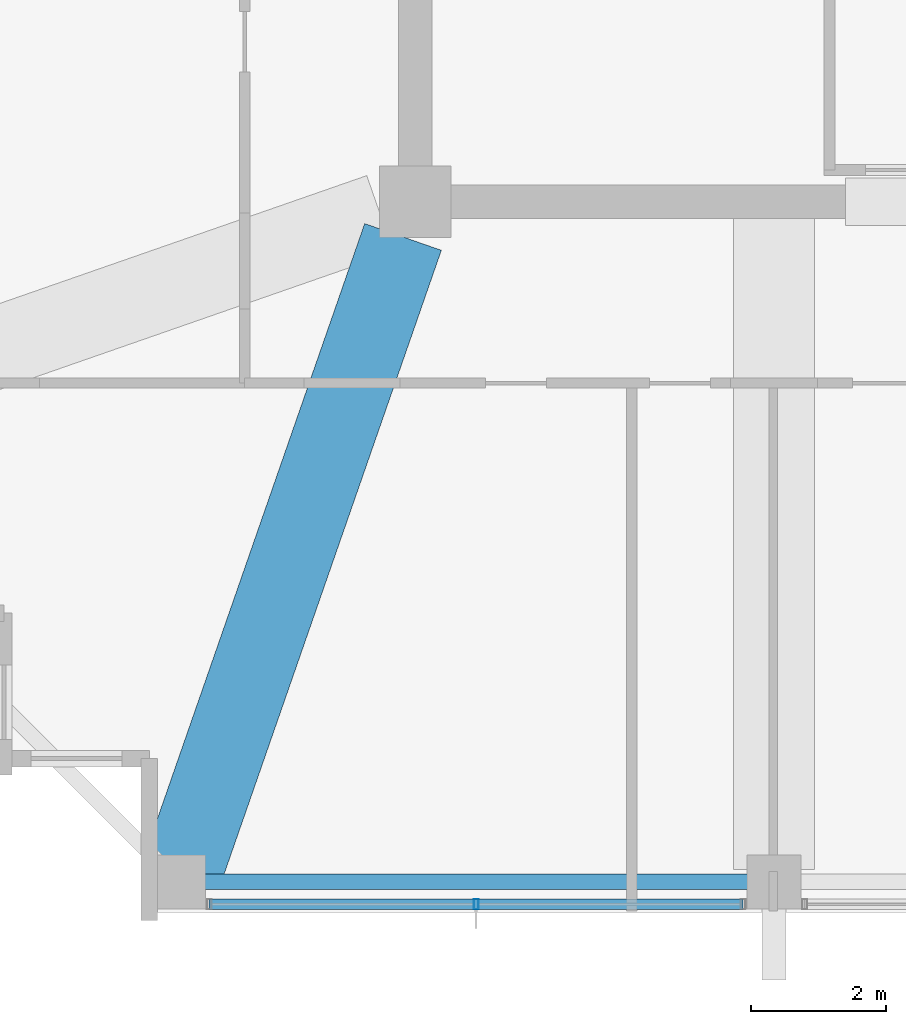
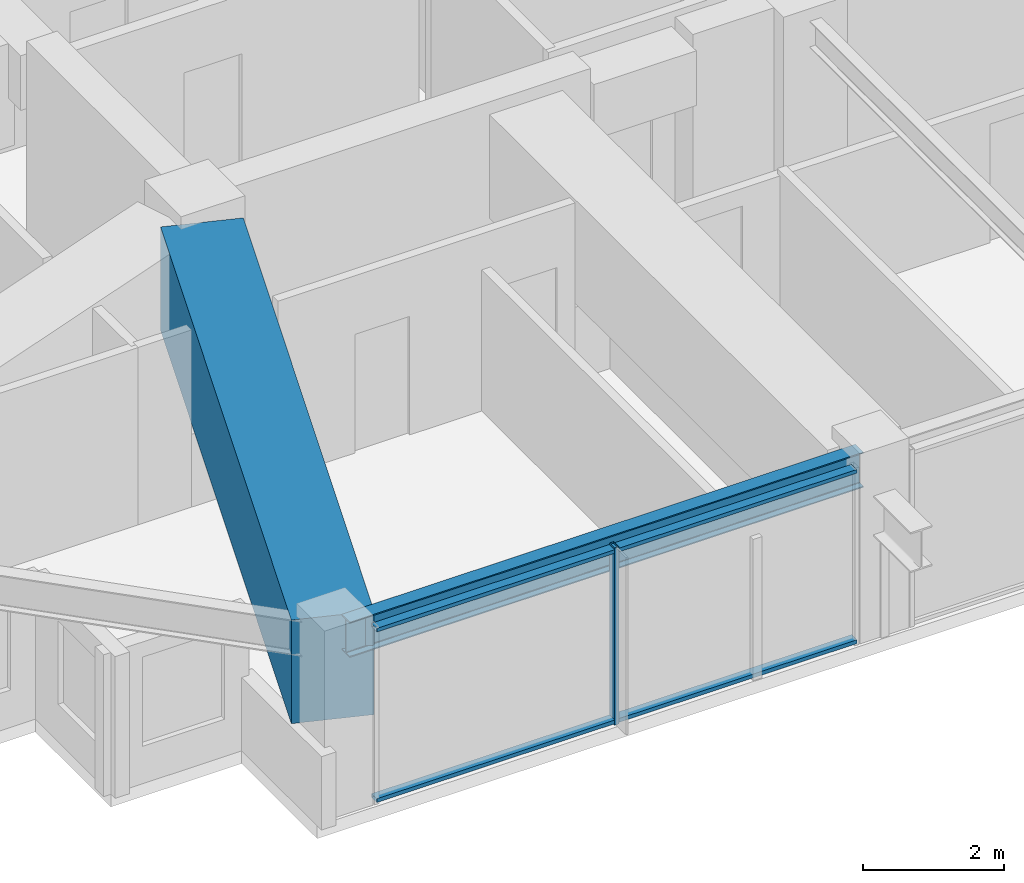
# One storey, part 3 of 35: 3 members, 2 beams, 1 element without a shape of its own.
"""IFC4 building model written with IfcOpenShell, lengths in metres."""

from ifc_helpers import new_model, si_unit, direction, frame, origin, origin_2d, place, context, subcontext, project, spatial, rectangle, hollow_rectangle, i_section, extrude, material, material_profile, profile_set, type_object, element, aggregate, save


model = new_model("IFC4")

# Units and contexts
model_context = context("Model", 3, precision=1e-05, world=origin(), true_north=direction((0.0, 1.0)))
body_context = subcontext(model_context, "Body", "Model", "MODEL_VIEW")
ifc_project = project(units=[si_unit("LENGTHUNIT", "METRE"), si_unit("AREAUNIT", "SQUARE_METRE"), si_unit("VOLUMEUNIT", "CUBIC_METRE"), si_unit("PLANEANGLEUNIT", "RADIAN"), si_unit("MASSUNIT", "GRAM", prefix="KILO")], contexts=[model_context])

# Site, building, storey
site_placement = place(None, origin())
site = spatial("IfcSite", under=ifc_project, at=site_placement, CompositionType="ELEMENT")
building_placement = place(site_placement, origin())
building = spatial("IfcBuilding", under=site, at=building_placement, Name="Kolvaren Belvedere", CompositionType="ELEMENT")
storey_placement = place(building_placement, frame((0.0, 0.0, 203.10009765625)))
storey = spatial("IfcBuildingStorey", under=building, at=storey_placement, Name="L59", CompositionType="ELEMENT", Elevation=203.10009765625)

# Beams
ifc_material_1 = material(Name="Structural steel ASTM A992 Grade 50", Category="steel")
ifc_material_profile_1 = material_profile(ifc_material_1, i_section(OverallWidth=0.22900390625, OverallDepth=0.612060546875, WebThickness=0.011962890625, FlangeThickness=0.01953125, FilletRadius=0.01806640625, at=origin_2d()), Name="W24X84")
ifc_profile_set_1 = profile_set([ifc_material_profile_1], Name="Structural steel ASTM A992 Grade 50")
beam_type_1 = type_object("IfcBeamType", Name="BM-SPAN-W24X84", PredefinedType="SPANDREL", material=ifc_profile_set_1)
beam_1_placement = place(storey_placement, frame((-13.219970703125, -19.949951171875, 2.77392578125), z_axis=(1.0, 0.0, 0.0), x_axis=(0.0, 1.0, 0.0)))
element("IfcBeam", 1, at=beam_1_placement, inside=storey, type_object=beam_type_1, Name="L59 Perimeter Spandrel S1-S2", PredefinedType="SPANDREL", context=body_context, shape_type="SweptSolid", body=[
    extrude(i_section(OverallWidth=0.22900390625, OverallDepth=0.612060546875, WebThickness=0.011962890625, FlangeThickness=0.01953125, FilletRadius=0.01806640625, at=origin_2d()), origin(), (0.0, 0.0, 1.0), 8.43994140625),
])
ifc_material_2 = material(Name="Concrete C50/60", Category="concrete")
ifc_material_profile_2 = material_profile(ifc_material_2, rectangle(XDim=1.199951171875, YDim=1.800048828125, at=origin_2d()), Name="RC 1200X1800")
ifc_profile_set_2 = profile_set([ifc_material_profile_2], Name="Concrete C50/60")
beam_type_2 = type_object("IfcBeamType", Name="BM-TG-1800", PredefinedType="BEAM", material=ifc_profile_set_2)
beam_2_placement = place(storey_placement, frame((-10.080810546875, -10.41943359375, 2.179931640625), z_axis=(-0.328898147971, -0.944365399758, 0.0), x_axis=(0.944365399758, -0.328898147971, 0.0)))
element("IfcBeam", 2, at=beam_2_placement, inside=storey, type_object=beam_type_2, Name="L59 Corner Core-to-Perimeter Girder CC1-S1", PredefinedType="BEAM", context=body_context, shape_type="SweptSolid", body=[
    extrude(rectangle(XDim=1.199951171875, YDim=1.800048828125, at=origin_2d()), origin(), (0.0, 0.0, 1.0), 9.931884765625),
])

# Curtain wall, members
ifc_material_3 = material(Name="Anodised pale-metal aluminium AA 6063-T6", Category="aluminium")
curtain_wall_type = type_object("IfcCurtainWallType", Name="CW-Z5-HIGH", PredefinedType="NOTDEFINED", material=ifc_material_3)
curtain_wall_placement = place(storey_placement, origin())
curtain_wall = element("IfcCurtainWall", 3, at=curtain_wall_placement, inside=storey, type_object=curtain_wall_type, Name="L59 Unitised Curtain Wall FCW-L59-S-B3", PredefinedType="NOTDEFINED")
ifc_material_4 = material(Name="Anodised pale-metal aluminium AA 6063-T6", Category="aluminium")
ifc_material_profile_3 = material_profile(ifc_material_4, hollow_rectangle(XDim=0.070068359375, YDim=0.14990234375, WallThickness=0.004150390625, at=origin_2d()), Name="ALU-MUL-150X70")
ifc_profile_set_3 = profile_set([ifc_material_profile_3], Name="Anodised pale-metal aluminium AA 6063-T6")
member_type_1 = type_object("IfcMemberType", Name="CW-MUL-150", PredefinedType="MULLION", material=ifc_profile_set_3)
member_1_placement = place(storey_placement, frame((-9.0, -20.280029296875, 0.0), z_axis=(0.0, 0.0, 1.0), x_axis=(1.0, 0.0, 0.0)))
member_1 = element("IfcMember", 4, at=member_1_placement, type_object=member_type_1, Name="FCW-L59-S-B3 Unitised Mullion 2", PredefinedType="MULLION", context=body_context, shape_type="SweptSolid", body=[
    extrude(hollow_rectangle(XDim=0.070068359375, YDim=0.14990234375, WallThickness=0.004150390625, at=origin_2d()), origin(), (0.0, 0.0, 1.0), 3.079833984375),
])
ifc_material_5 = material(Name="Anodised pale-metal aluminium AA 6063-T6", Category="aluminium")
ifc_material_profile_4 = material_profile(ifc_material_5, hollow_rectangle(XDim=0.06494140625, YDim=0.14990234375, WallThickness=0.00390625, at=origin_2d()), Name="ALU-TRN-150X65")
ifc_profile_set_4 = profile_set([ifc_material_profile_4], Name="Anodised pale-metal aluminium AA 6063-T6")
member_type_2 = type_object("IfcMemberType", Name="CW-TRN-150", PredefinedType="USERDEFINED", material=ifc_profile_set_4)
member_2_placement = place(storey_placement, frame((-5.054931640625, -20.280029296875, 0.059814453125), z_axis=(-1.0, 0.0, 0.0), x_axis=(0.0, 0.0, 1.0)))
member_2 = element("IfcMember", 5, at=member_2_placement, type_object=member_type_2, Name="FCW-L59-S-B3 Sill Transom", ObjectType="TRANSOM", PredefinedType="USERDEFINED", context=body_context, shape_type="SweptSolid", body=[
    extrude(hollow_rectangle(XDim=0.06494140625, YDim=0.14990234375, WallThickness=0.00390625, at=origin_2d()), origin(), (0.0, 0.0, 1.0), 7.89013671875),
])
member_3_placement = place(storey_placement, frame((-5.054931640625, -20.280029296875, 3.02001953125), z_axis=(-1.0, 0.0, 0.0), x_axis=(0.0, 0.0, 1.0)))
member_3 = element("IfcMember", 6, at=member_3_placement, type_object=member_type_2, Name="FCW-L59-S-B3 Head Transom", ObjectType="TRANSOM", PredefinedType="USERDEFINED", context=body_context, shape_type="SweptSolid", body=[
    extrude(hollow_rectangle(XDim=0.06494140625, YDim=0.14990234375, WallThickness=0.00390625, at=origin_2d()), origin(), (0.0, 0.0, 1.0), 7.89013671875),
])
aggregate(curtain_wall, [member_1, member_2, member_3])

save(model, "model.ifc")
